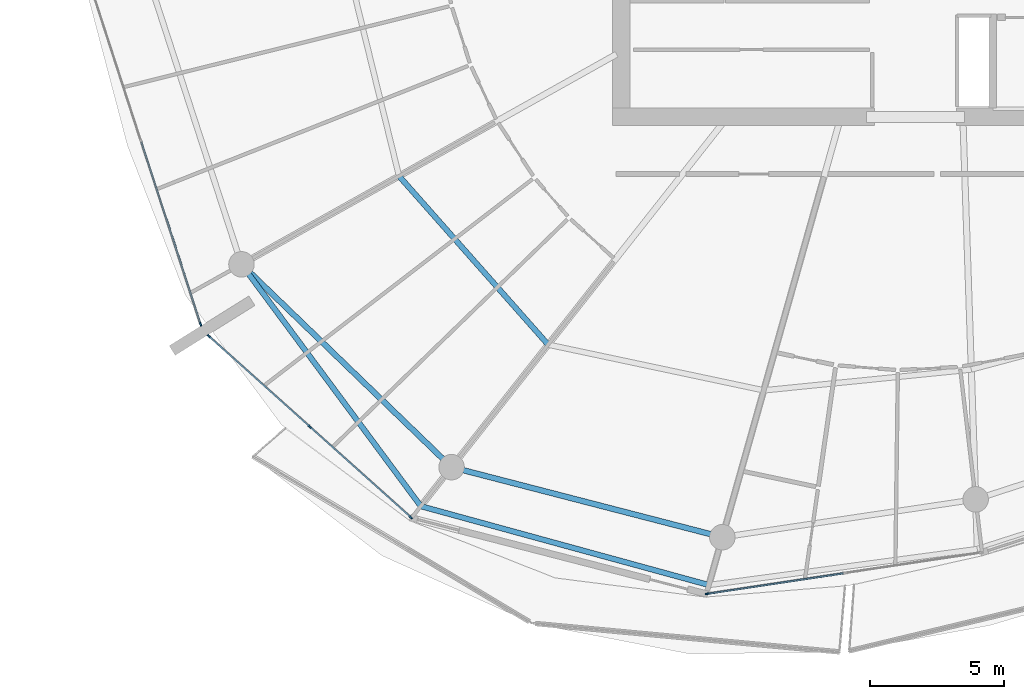
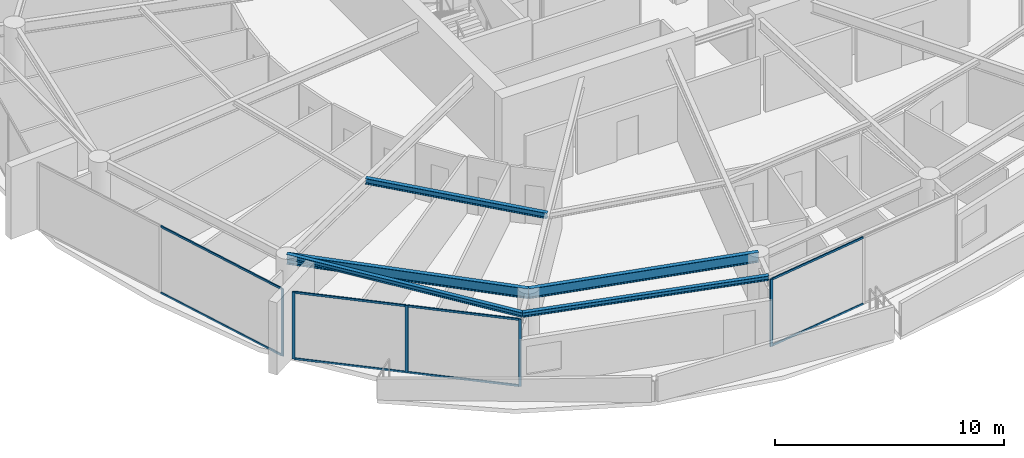
# One storey, part 6 of 30: 13 members, 5 beams, 3 elements without a shape of their own.
"""IFC4 building model written with IfcOpenShell, lengths in metres."""

from ifc_helpers import new_model, si_unit, direction, frame, origin, origin_2d, place, context, subcontext, project, spatial, rectangle, i_section, extrude, material, layer, layer_set, material_profile, profile_set, type_object, element, aggregate, save


model = new_model("IFC4")

# Units and contexts
model_context = context("Model", 3, precision=1e-05, world=origin(), true_north=direction((0.0, 1.0)))
body_context = subcontext(model_context, "Body", "Model", "MODEL_VIEW")
ifc_project = project(units=[si_unit("LENGTHUNIT", "METRE"), si_unit("AREAUNIT", "SQUARE_METRE"), si_unit("VOLUMEUNIT", "CUBIC_METRE"), si_unit("PLANEANGLEUNIT", "RADIAN"), si_unit("MASSUNIT", "GRAM", prefix="KILO")], contexts=[model_context])

# Site, building, storey
site_placement = place(None, origin())
site = spatial("IfcSite", under=ifc_project, at=site_placement, CompositionType="ELEMENT")
building_placement = place(site_placement, origin())
building = spatial("IfcBuilding", under=site, at=building_placement, Name="Kazma Halo Residences", CompositionType="ELEMENT")
storey_placement = place(building_placement, frame((0.0, 0.0, 263.64990234375)))
storey = spatial("IfcBuildingStorey", under=building, at=storey_placement, Name="L66", CompositionType="ELEMENT", Elevation=263.64990234375)

# Beams
ifc_material_1 = material(Name="Steel S355", Category="steel")
ifc_material_profile_1 = material_profile(ifc_material_1, i_section(OverallWidth=0.201904296875, OverallDepth=0.2470703125, WebThickness=0.00732421875, FlangeThickness=0.010986328125, FilletRadius=0.011962890625, at=origin_2d()), Name="W250x49.1")
ifc_profile_set_1 = profile_set([ifc_material_profile_1], Name="Steel S355")
beam_type_1 = type_object("IfcBeamType", Name="BM-BAL-CANT", PredefinedType="BEAM", material=ifc_profile_set_1)
beam_1_placement = place(storey_placement, frame((23.32958984375, 28.18408203125, 3.466552734375), z_axis=(0.595556062515, -0.803313747176, 0.0), x_axis=(0.803313747176, 0.595556062515, 0.0)))
element("IfcBeam", 1, at=beam_1_placement, inside=storey, type_object=beam_type_1, Name="L66 wave-balcony lead tie beam 09", PredefinedType="BEAM", context=body_context, shape_type="SweptSolid", body=[
    extrude(i_section(OverallWidth=0.201904296875, OverallDepth=0.2470703125, WebThickness=0.00732421875, FlangeThickness=0.010986328125, FilletRadius=0.011962890625, at=origin_2d()), origin(), (0.0, 0.0, 1.0), 11.213134765625),
])
beam_2_placement = place(storey_placement, frame((30.007568359375, 19.176513671875, 3.466552734375), z_axis=(0.964514665976, -0.264029277006, 0.0), x_axis=(0.264029277006, 0.964514665976, 0.0)))
element("IfcBeam", 2, at=beam_2_placement, inside=storey, type_object=beam_type_1, Name="L66 wave-balcony tie beam 10", PredefinedType="BEAM", context=body_context, shape_type="SweptSolid", body=[
    extrude(i_section(OverallWidth=0.201904296875, OverallDepth=0.2470703125, WebThickness=0.00732421875, FlangeThickness=0.010986328125, FilletRadius=0.011962890625, at=origin_2d()), origin(), (0.0, 0.0, 1.0), 11.1220703125),
])
ifc_material_profile_2 = material_profile(ifc_material_1, i_section(OverallWidth=0.202880859375, OverallDepth=0.302978515625, WebThickness=0.007568359375, FlangeThickness=0.01318359375, FilletRadius=0.013916015625, at=origin_2d()), Name="W310x60")
ifc_profile_set_2 = profile_set([ifc_material_profile_2], Name="Steel S355")
beam_type_2 = type_object("IfcBeamType", Name="BM-SEC-W310A", PredefinedType="JOIST", material=ifc_profile_set_2)
beam_3_placement = place(storey_placement, frame((29.197265625, 31.469970703125, 3.4384765625), z_axis=(0.662539311942, -0.749027142453, 0.0), x_axis=(0.749027142453, 0.662539311942, 0.0)))
element("IfcBeam", 3, at=beam_3_placement, inside=storey, type_object=beam_type_2, Name="L66 circumferential floor joist 09", PredefinedType="JOIST", context=body_context, shape_type="SweptSolid", body=[
    extrude(i_section(OverallWidth=0.202880859375, OverallDepth=0.302978515625, WebThickness=0.007568359375, FlangeThickness=0.01318359375, FilletRadius=0.013916015625, at=origin_2d()), origin(), (0.0, 0.0, 1.0), 8.381103515625),
])
ifc_material_profile_3 = material_profile(ifc_material_1, i_section(OverallWidth=0.208984375, OverallDepth=0.532958984375, WebThickness=0.01025390625, FlangeThickness=0.015625, FilletRadius=0.01611328125, at=origin_2d()), Name="W530x92")
ifc_profile_set_3 = profile_set([ifc_material_profile_3], Name="Steel S355")
beam_type_3 = type_object("IfcBeamType", Name="BM-SPN-W530", PredefinedType="BEAM", material=ifc_profile_set_3)
beam_4_placement = place(storey_placement, frame((23.32958984375, 28.18408203125, 3.323486328125), z_axis=(0.719345757929, -0.694652201141, 0.0), x_axis=(0.694652201141, 0.719345757929, 0.0)))
element("IfcBeam", 4, at=beam_4_placement, inside=storey, type_object=beam_type_3, Name="L66 perimeter ring beam 09", PredefinedType="BEAM", context=body_context, shape_type="SweptSolid", body=[
    extrude(i_section(OverallWidth=0.208984375, OverallDepth=0.532958984375, WebThickness=0.01025390625, FlangeThickness=0.015625, FilletRadius=0.01611328125, at=origin_2d()), origin(), (0.0, 0.0, 1.0), 10.87548828125),
])
beam_5_placement = place(storey_placement, frame((31.15283203125, 20.62939453125, 3.323486328125), z_axis=(0.968126042852, -0.250463500639, 0.0), x_axis=(0.250463500639, 0.968126042852, 0.0)))
element("IfcBeam", 5, at=beam_5_placement, inside=storey, type_object=beam_type_3, Name="L66 perimeter ring beam 10", PredefinedType="BEAM", context=body_context, shape_type="SweptSolid", body=[
    extrude(i_section(OverallWidth=0.208984375, OverallDepth=0.532958984375, WebThickness=0.01025390625, FlangeThickness=0.015625, FilletRadius=0.01611328125, at=origin_2d()), origin(), (0.0, 0.0, 1.0), 10.416259765625),
])

# Curtain wall, member
ifc_material_2 = material(Name="Aluminium AW-6063 T6 and Triple-Silver Low-E Glass", Category="aluminium")
ifc_layer = layer(ifc_material_2, 0.139892578125)
ifc_layer_set = layer_set([ifc_layer], Name="Aluminium AW-6063 T6 and Triple-Silver Low-E Glass")
curtain_wall_type = type_object("IfcCurtainWallType", Name="CW-SYS-5", PredefinedType="NOTDEFINED", material=ifc_layer_set)
curtain_wall_1_placement = place(storey_placement, origin())
curtain_wall_1 = element("IfcCurtainWall", 6, at=curtain_wall_1_placement, inside=storey, type_object=curtain_wall_type, Name="L66 unitised curtain wall B08", PredefinedType="NOTDEFINED")
ifc_material_3 = material(Name="Aluminium AW-6063 T6", Category="aluminium")
ifc_material_profile_4 = material_profile(ifc_material_3, rectangle(XDim=0.06005859375, YDim=0.139892578125, at=origin_2d()), Name="CWM-60x140")
ifc_profile_set_4 = profile_set([ifc_material_profile_4], Name="Aluminium AW-6063 T6")
member_type_1 = type_object("IfcMemberType", Name="CW-SYS-5-MUL", PredefinedType="MULLION", material=ifc_profile_set_4)
member_1_placement = place(storey_placement, frame((21.8076171875, 25.9521484375, 0.0), z_axis=(0.0, 0.0, 1.0), x_axis=(0.951058464359, 0.309010998786, 0.0)))
member_1 = element("IfcMember", 7, at=member_1_placement, type_object=member_type_1, Name="CWS-5 mullion 3", PredefinedType="MULLION", context=body_context, shape_type="SweptSolid", body=[
    extrude(rectangle(XDim=0.06005859375, YDim=0.139892578125, at=origin_2d()), origin(), (0.0, 0.0, 1.0), 3.590087890625),
])

# Curtain wall, members
curtain_wall_2_placement = place(storey_placement, origin())
curtain_wall_2 = element("IfcCurtainWall", 8, at=curtain_wall_2_placement, inside=storey, type_object=curtain_wall_type, Name="L66 unitised curtain wall B09", PredefinedType="NOTDEFINED")
member_2_placement = place(storey_placement, frame((22.11669921875, 25.508056640625, 0.0), z_axis=(0.0, 0.0, 1.0), x_axis=(0.667804826958, 0.744336424671, 0.0)))
member_2 = element("IfcMember", 9, at=member_2_placement, type_object=member_type_1, Name="CWS-5 mullion 1", PredefinedType="MULLION", context=body_context, shape_type="SweptSolid", body=[
    extrude(rectangle(XDim=0.06005859375, YDim=0.139892578125, at=origin_2d()), origin(), (0.0, 0.0, 1.0), 3.590087890625),
])
member_3_placement = place(storey_placement, frame((25.878173828125, 22.13330078125, 0.0), z_axis=(0.0, 0.0, 1.0), x_axis=(0.667804826958, 0.744336424671, 0.0)))
member_3 = element("IfcMember", 10, at=member_3_placement, type_object=member_type_1, Name="CWS-5 mullion 2", PredefinedType="MULLION", context=body_context, shape_type="SweptSolid", body=[
    extrude(rectangle(XDim=0.06005859375, YDim=0.139892578125, at=origin_2d()), origin(), (0.0, 0.0, 1.0), 3.590087890625),
])
member_4_placement = place(storey_placement, frame((29.6396484375, 18.758544921875, 0.0), z_axis=(0.0, 0.0, 1.0), x_axis=(0.667804826958, 0.744336424671, 0.0)))
member_4 = element("IfcMember", 11, at=member_4_placement, type_object=member_type_1, Name="CWS-5 mullion 3", PredefinedType="MULLION", context=body_context, shape_type="SweptSolid", body=[
    extrude(rectangle(XDim=0.06005859375, YDim=0.139892578125, at=origin_2d()), origin(), (0.0, 0.0, 1.0), 3.590087890625),
])

# Curtain wall, member
curtain_wall_3_placement = place(storey_placement, origin())
curtain_wall_3 = element("IfcCurtainWall", 12, at=curtain_wall_3_placement, inside=storey, type_object=curtain_wall_type, Name="L66 unitised curtain wall B11", PredefinedType="NOTDEFINED")
member_5_placement = place(storey_placement, frame((40.671142578125, 15.912841796875, 0.0), z_axis=(0.0, 0.0, 1.0), x_axis=(-0.148697080374, 0.988882792998, 0.0)))
member_5 = element("IfcMember", 13, at=member_5_placement, type_object=member_type_1, Name="CWS-5 mullion 1", PredefinedType="MULLION", context=body_context, shape_type="SweptSolid", body=[
    extrude(rectangle(XDim=0.06005859375, YDim=0.139892578125, at=origin_2d()), origin(), (0.0, 0.0, 1.0), 3.590087890625),
])

# Member
ifc_material_profile_5 = material_profile(ifc_material_3, rectangle(XDim=0.06005859375, YDim=0.10498046875, at=origin_2d()), Name="CWT-60x105")
ifc_profile_set_5 = profile_set([ifc_material_profile_5], Name="Aluminium AW-6063 T6")
member_type_2 = type_object("IfcMemberType", Name="CW-SYS-5-TRN", PredefinedType="USERDEFINED", material=ifc_profile_set_5)
member_6_placement = place(storey_placement, frame((19.6015625, 32.7412109375, 0.030029296875), z_axis=(0.309027052142, -0.95105324827, 0.0), x_axis=(0.95105324827, 0.309027052142, 0.0)))
member_6 = element("IfcMember", 14, at=member_6_placement, type_object=member_type_2, Name="CWS-5 transom 2.1", ObjectType="TRANSOM", PredefinedType="USERDEFINED", context=body_context, shape_type="SweptSolid", body=[
    extrude(rectangle(XDim=0.06005859375, YDim=0.10498046875, at=origin_2d()), origin(), (0.0, 0.0, 1.0), 7.108642578125),
])

member_7_placement = place(storey_placement, frame((19.6015625, 32.7412109375, 3.56005859375), z_axis=(0.309027052142, -0.95105324827, 0.0), x_axis=(0.95105324827, 0.309027052142, 0.0)))
member_7 = element("IfcMember", 15, at=member_7_placement, type_object=member_type_2, Name="CWS-5 transom 2.2", ObjectType="TRANSOM", PredefinedType="USERDEFINED", context=body_context, shape_type="SweptSolid", body=[
    extrude(rectangle(XDim=0.06005859375, YDim=0.10498046875, at=origin_2d()), origin(), (0.0, 0.0, 1.0), 7.108642578125),
])

aggregate(curtain_wall_1, [member_1, member_6, member_7])

member_8_placement = place(storey_placement, frame((22.138916015625, 25.488037109375, 0.030029296875), z_axis=(0.744328897483, -0.667813216679, 0.0), x_axis=(0.667813216679, 0.744328897483, 0.0)))
member_8 = element("IfcMember", 16, at=member_8_placement, type_object=member_type_2, Name="CWS-5 transom 1.1", ObjectType="TRANSOM", PredefinedType="USERDEFINED", context=body_context, shape_type="SweptSolid", body=[
    extrude(rectangle(XDim=0.06005859375, YDim=0.10498046875, at=origin_2d()), origin(), (0.0, 0.0, 1.0), 4.993408203125),
])

member_9_placement = place(storey_placement, frame((22.138916015625, 25.488037109375, 3.56005859375), z_axis=(0.744328897483, -0.667813216679, 0.0), x_axis=(0.667813216679, 0.744328897483, 0.0)))
member_9 = element("IfcMember", 17, at=member_9_placement, type_object=member_type_2, Name="CWS-5 transom 1.2", ObjectType="TRANSOM", PredefinedType="USERDEFINED", context=body_context, shape_type="SweptSolid", body=[
    extrude(rectangle(XDim=0.06005859375, YDim=0.10498046875, at=origin_2d()), origin(), (0.0, 0.0, 1.0), 4.993408203125),
])

member_10_placement = place(storey_placement, frame((25.900390625, 22.11328125, 0.030029296875), z_axis=(0.744350700793, -0.667788914425, 0.0), x_axis=(0.667788914425, 0.744350700793, 0.0)))
member_10 = element("IfcMember", 18, at=member_10_placement, type_object=member_type_2, Name="CWS-5 transom 2.1", ObjectType="TRANSOM", PredefinedType="USERDEFINED", context=body_context, shape_type="SweptSolid", body=[
    extrude(rectangle(XDim=0.06005859375, YDim=0.10498046875, at=origin_2d()), origin(), (0.0, 0.0, 1.0), 4.99365234375),
])

member_11_placement = place(storey_placement, frame((25.900390625, 22.11328125, 3.56005859375), z_axis=(0.744350700793, -0.667788914425, 0.0), x_axis=(0.667788914425, 0.744350700793, 0.0)))
member_11 = element("IfcMember", 19, at=member_11_placement, type_object=member_type_2, Name="CWS-5 transom 2.2", ObjectType="TRANSOM", PredefinedType="USERDEFINED", context=body_context, shape_type="SweptSolid", body=[
    extrude(rectangle(XDim=0.06005859375, YDim=0.10498046875, at=origin_2d()), origin(), (0.0, 0.0, 1.0), 4.99365234375),
])

aggregate(curtain_wall_2, [member_2, member_3, member_4, member_8, member_9, member_10, member_11])

member_12_placement = place(storey_placement, frame((40.70068359375, 15.917236328125, 0.030029296875), z_axis=(0.988883972013, 0.148689239341, 0.0), x_axis=(-0.148689239341, 0.988883972013, 0.0)))
member_12 = element("IfcMember", 20, at=member_12_placement, type_object=member_type_2, Name="CWS-5 transom 1.1", ObjectType="TRANSOM", PredefinedType="USERDEFINED", context=body_context, shape_type="SweptSolid", body=[
    extrude(rectangle(XDim=0.06005859375, YDim=0.10498046875, at=origin_2d()), origin(), (0.0, 0.0, 1.0), 5.099853515625),
])

member_13_placement = place(storey_placement, frame((40.70068359375, 15.917236328125, 3.56005859375), z_axis=(0.988883972013, 0.148689239341, 0.0), x_axis=(-0.148689239341, 0.988883972013, 0.0)))
member_13 = element("IfcMember", 21, at=member_13_placement, type_object=member_type_2, Name="CWS-5 transom 1.2", ObjectType="TRANSOM", PredefinedType="USERDEFINED", context=body_context, shape_type="SweptSolid", body=[
    extrude(rectangle(XDim=0.06005859375, YDim=0.10498046875, at=origin_2d()), origin(), (0.0, 0.0, 1.0), 5.099853515625),
])

aggregate(curtain_wall_3, [member_5, member_12, member_13])

save(model, "model.ifc")
